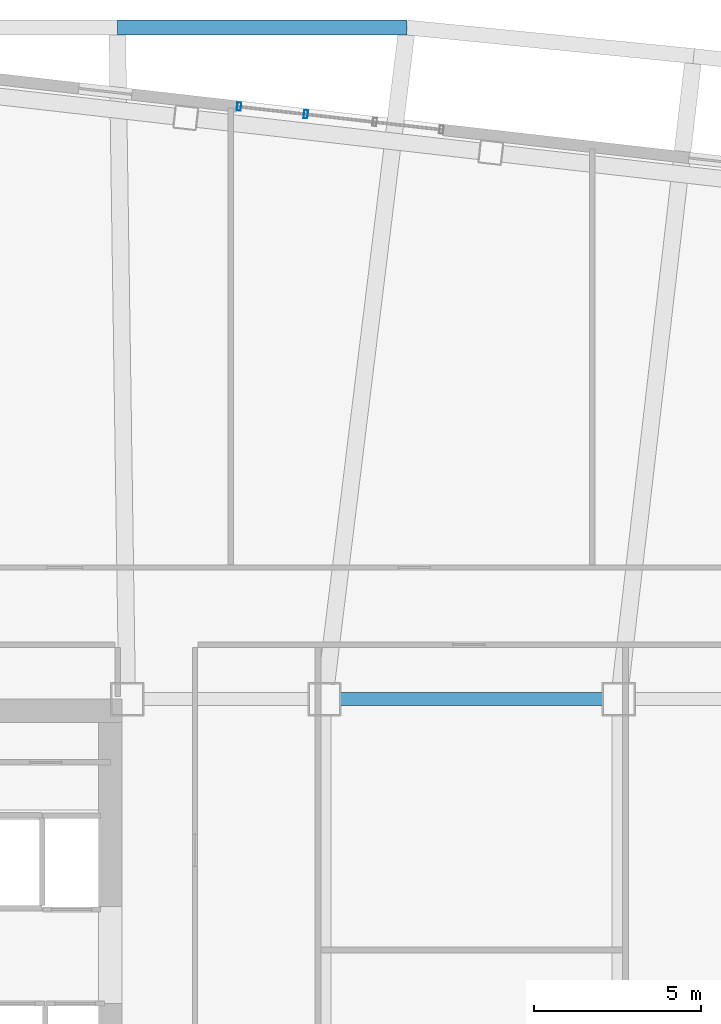
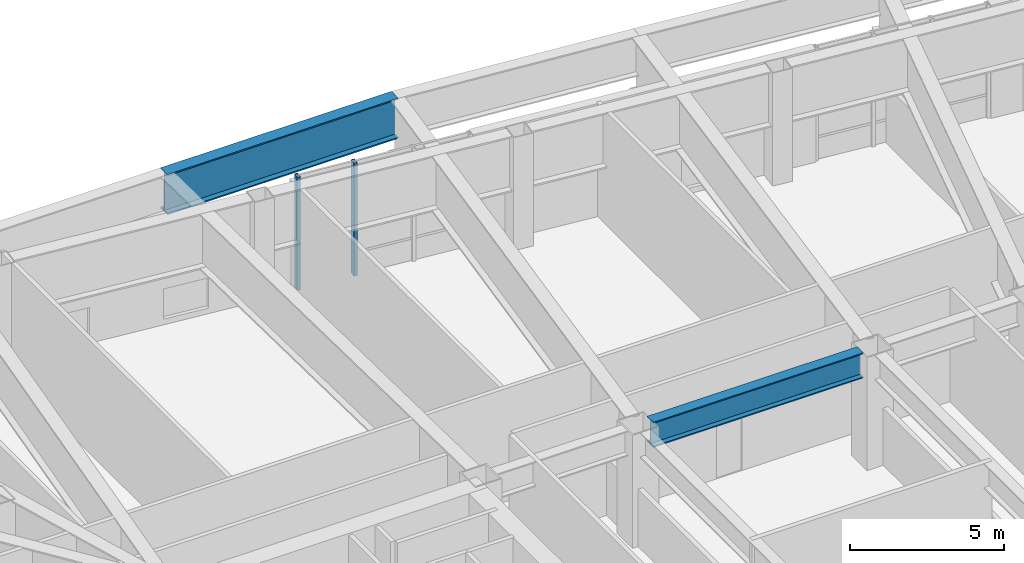
# One storey, part 6 of 19: 2 beams, 2 members, 1 element without a shape of its own.
"""IFC4 building model written with IfcOpenShell, lengths in metres."""

from ifc_helpers import new_model, si_unit, direction, frame, origin, origin_2d, place, context, subcontext, project, spatial, hollow_rectangle, i_section, extrude, material, layer, layer_set, material_profile, profile_set, type_object, element, aggregate, save


model = new_model("IFC4")

# Units and contexts
model_context = context("Model", 3, precision=1e-05, world=origin(), true_north=direction((0.0, 1.0)))
body_context = subcontext(model_context, "Body", "Model", "MODEL_VIEW")
ifc_project = project(units=[si_unit("LENGTHUNIT", "METRE"), si_unit("AREAUNIT", "SQUARE_METRE"), si_unit("VOLUMEUNIT", "CUBIC_METRE"), si_unit("PLANEANGLEUNIT", "RADIAN"), si_unit("MASSUNIT", "GRAM", prefix="KILO")], contexts=[model_context])

# Site, building, storey
site_placement = place(None, origin())
site = spatial("IfcSite", under=ifc_project, at=site_placement, CompositionType="ELEMENT")
building_placement = place(site_placement, origin())
building = spatial("IfcBuilding", under=site, at=building_placement, Name="Tavrogorsk Clinical Tower", CompositionType="ELEMENT")
storey_placement = place(building_placement, frame((0.0, 0.0, 141.39990234375)))
storey = spatial("IfcBuildingStorey", under=building, at=storey_placement, Name="L32", CompositionType="ELEMENT", Elevation=141.39990234375)

# Curtain wall, members
ifc_material_1 = material(Name="Anodised aluminium and triple IGU glazing", Category="aluminium")
ifc_layer = layer(ifc_material_1, 0.179931640625)
ifc_layer_set = layer_set([ifc_layer], Name="Anodised aluminium and triple IGU glazing")
curtain_wall_type = type_object("IfcCurtainWallType", Name="CW5_SkyLobby", PredefinedType="NOTDEFINED", material=ifc_layer_set)
curtain_wall_placement = place(storey_placement, origin())
curtain_wall = element("IfcCurtainWall", 1, at=curtain_wall_placement, inside=storey, type_object=curtain_wall_type, Name="L32 Curtain Wall CW-L32-N-CW5-1", PredefinedType="NOTDEFINED")
ifc_material_2 = material(Name="Anodised aluminium alloy AW-6060", Category="aluminium")
ifc_material_profile_1 = material_profile(ifc_material_2, hollow_rectangle(XDim=0.1201171875, YDim=0.239990234375, WallThickness=0.008056640625, at=origin_2d()), Name="RHS-240x120x8")
ifc_profile_set_1 = profile_set([ifc_material_profile_1], Name="Anodised aluminium alloy AW-6060")
member_type = type_object("IfcMemberType", Name="CwMullion_240x120", PredefinedType="MULLION", material=ifc_profile_set_1)
member_1_placement = place(storey_placement, frame((-4.9580078125, 23.82763671875, 0.0), z_axis=(0.0, 0.0, 1.0), x_axis=(-0.993571847378, 0.113203286601, 0.0)))
member_1 = element("IfcMember", 2, at=member_1_placement, type_object=member_type, Name="CW-L32-N-CW5-1 Mullion 3", PredefinedType="MULLION", context=body_context, shape_type="SweptSolid", body=[
    extrude(hollow_rectangle(XDim=0.1201171875, YDim=0.239990234375, WallThickness=0.008056640625, at=origin_2d()), origin(), (0.0, 0.0, 1.0), 4.47998046875),
])
member_2_placement = place(storey_placement, frame((-6.954345703125, 24.05517578125, 0.0), z_axis=(0.0, 0.0, 1.0), x_axis=(-0.993571847378, 0.113203286601, 0.0)))
member_2 = element("IfcMember", 3, at=member_2_placement, type_object=member_type, Name="CW-L32-N-CW5-1 Mullion 4", PredefinedType="MULLION", context=body_context, shape_type="SweptSolid", body=[
    extrude(hollow_rectangle(XDim=0.1201171875, YDim=0.239990234375, WallThickness=0.008056640625, at=origin_2d()), origin(), (0.0, 0.0, 1.0), 4.47998046875),
])
aggregate(curtain_wall, [member_1, member_2])

# Beams
ifc_material_3 = material(Name="Structural steel S440", Category="steel")
ifc_material_profile_2 = material_profile(ifc_material_3, i_section(OverallWidth=0.39990234375, OverallDepth=1.0, WebThickness=0.028076171875, FlangeThickness=0.044921875, at=origin_2d()), Name="DK-1000x400x28x45")
ifc_profile_set_2 = profile_set([ifc_material_profile_2], Name="Structural steel S440")
beam_type_1 = type_object("IfcBeamType", Name="TransferGirder_DK1000", PredefinedType="USERDEFINED", material=ifc_profile_set_2)
beam_1_placement = place(storey_placement, frame((-3.93994140625, 6.35009765625, 3.97998046875), z_axis=(1.0, 0.0, 0.0), x_axis=(0.0, 1.0, 0.0)))
element("IfcBeam", 4, at=beam_1_placement, inside=storey, type_object=beam_type_1, Name="L32 Primary Spine Girder MG-04", ObjectType="GIRDER", PredefinedType="USERDEFINED", context=body_context, shape_type="SweptSolid", body=[
    extrude(i_section(OverallWidth=0.39990234375, OverallDepth=1.0, WebThickness=0.028076171875, FlangeThickness=0.044921875, at=origin_2d()), origin(), (0.0, 0.0, 1.0), 7.8798828125),
])
ifc_material_4 = material(Name="Structural steel S440", Category="steel")
ifc_material_profile_3 = material_profile(ifc_material_4, i_section(OverallWidth=0.449951171875, OverallDepth=1.60009765625, WebThickness=0.031982421875, FlangeThickness=0.050048828125, at=origin_2d()), Name="DK-1600x450x32x50")
ifc_profile_set_3 = profile_set([ifc_material_profile_3], Name="Structural steel S440")
beam_type_2 = type_object("IfcBeamType", Name="TransferGirder_DK1600", PredefinedType="USERDEFINED", material=ifc_profile_set_3)
beam_2_placement = place(storey_placement, frame((-1.931396484375, 26.419921875, 3.68017578125), z_axis=(-1.0, 0.0, 0.0), x_axis=(0.0, -1.0, 0.0)))
element("IfcBeam", 5, at=beam_2_placement, inside=storey, type_object=beam_type_2, Name="L33 Transfer Edge Girder N5-N6", ObjectType="GIRDER", PredefinedType="USERDEFINED", context=body_context, shape_type="SweptSolid", body=[
    extrude(i_section(OverallWidth=0.449951171875, OverallDepth=1.60009765625, WebThickness=0.031982421875, FlangeThickness=0.050048828125, at=origin_2d()), origin(), (0.0, 0.0, 1.0), 8.662841796875),
])

save(model, "model.ifc")
